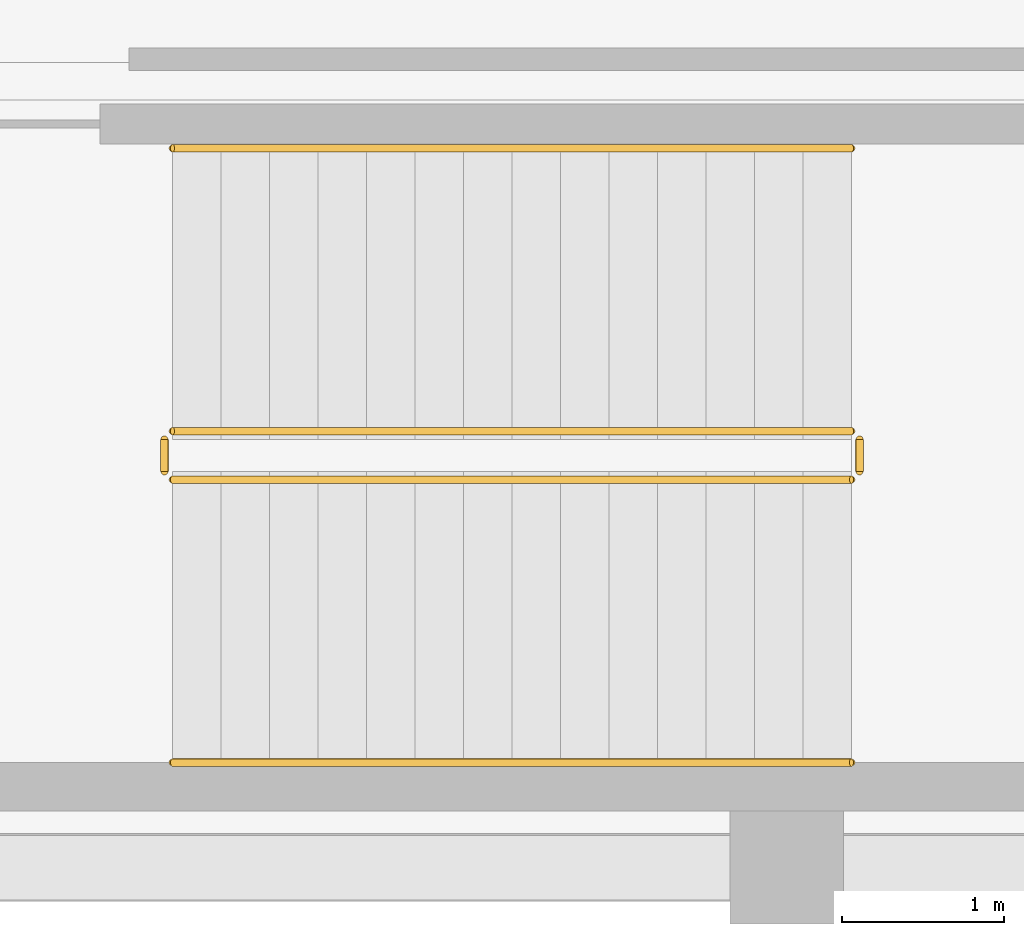
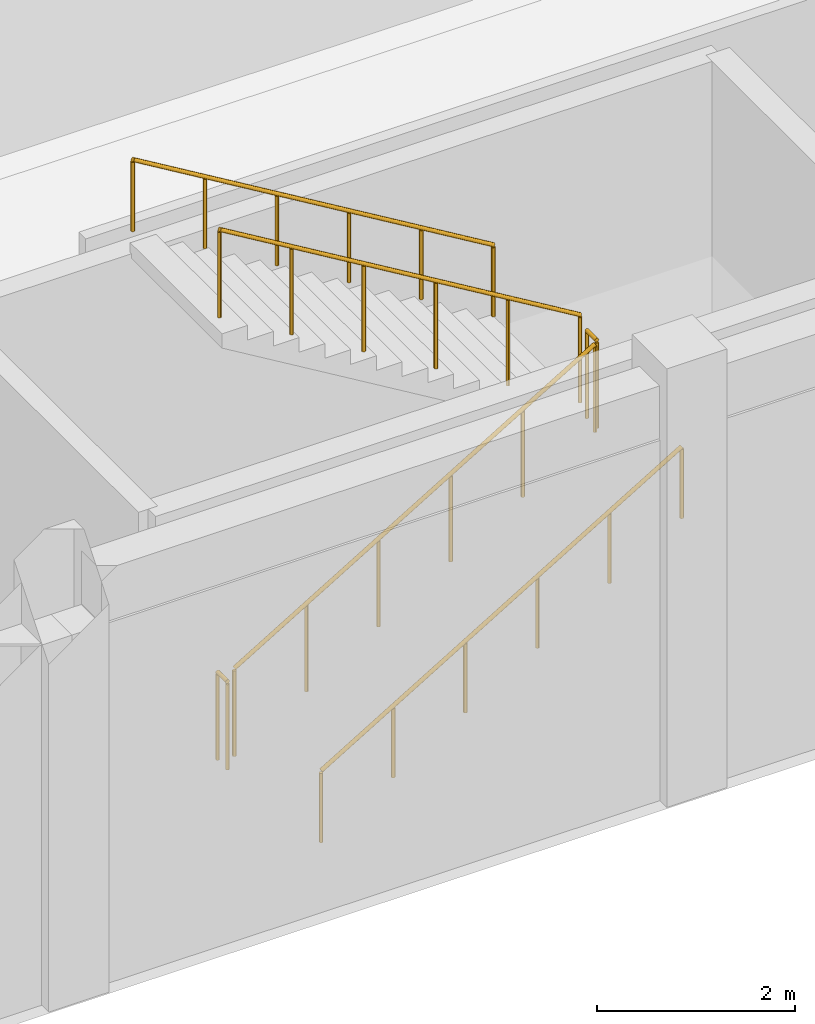
# One storey, part 86 of 102: 6 railings.
"""IFC4 building model written with IfcOpenShell, lengths in metres."""

from ifc_helpers import new_model, si_unit, direction, frame, origin, origin_2d, place, context, subcontext, project, spatial, circle, extrude, material, layer, layer_set, type_object, element, save


model = new_model("IFC4")

# Units and contexts
model_context = context("Model", 3, precision=1e-05, world=origin(), true_north=direction((0.0, 1.0)))
body_context = subcontext(model_context, "Body", "Model", "MODEL_VIEW")
ifc_project = project(units=[si_unit("LENGTHUNIT", "METRE"), si_unit("AREAUNIT", "SQUARE_METRE"), si_unit("VOLUMEUNIT", "CUBIC_METRE"), si_unit("PLANEANGLEUNIT", "RADIAN"), si_unit("MASSUNIT", "GRAM", prefix="KILO")], contexts=[model_context])

# Site, building, storey
site_placement = place(None, origin())
site = spatial("IfcSite", under=ifc_project, at=site_placement, CompositionType="ELEMENT")
building_placement = place(site_placement, origin())
building = spatial("IfcBuilding", under=site, at=building_placement, Name="Carrowvane Square Congress Hotel", CompositionType="ELEMENT")
storey_placement = place(building_placement, origin())
storey = spatial("IfcBuildingStorey", under=building, at=storey_placement, Name="L00", CompositionType="ELEMENT", Elevation=0.0)

# Railings
ifc_material_1 = material(Name="Stainless steel 316", Category="steel")
ifc_layer_1 = layer(ifc_material_1, 0.048095703125)
ifc_layer_set_1 = layer_set([ifc_layer_1], Name="Stainless steel 316")
railing_type_1 = type_object("IfcRailingType", Name="RLG-HR-900", PredefinedType="HANDRAIL", material=ifc_layer_set_1)
railing_1_placement = place(storey_placement, frame((22.199951171875, 6.050048828125, 0.179931640625)))
element("IfcRailing", 1, at=railing_1_placement, inside=storey, type_object=railing_type_1, Name="L00 ST9 stair handrail 1", PredefinedType="HANDRAIL", context=body_context, shape_type="SweptSolid", body=[
    extrude(circle(Radius=0.02392578125, at=origin_2d()), frame((0.0, 0.0, 0.8759765625), z_axis=(0.857488527567, 0.0, 0.514503085598), x_axis=(0.0, 1.0, 0.0)), (0.0, 0.0, 1.0), 4.89794921875),
    extrude(circle(Radius=0.02099609375, at=origin_2d()), origin(), (0.0, 0.0, 1.0), 0.851806640625),
    extrude(circle(Radius=0.02099609375, at=origin_2d()), frame((0.840087890625, 0.0, 0.50390625)), (0.0, 0.0, 1.0), 0.851806640625),
    extrude(circle(Radius=0.02099609375, at=origin_2d()), frame((1.679931640625, 0.0, 1.008056640625)), (0.0, 0.0, 1.0), 0.851806640625),
    extrude(circle(Radius=0.02099609375, at=origin_2d()), frame((2.52001953125, 0.0, 1.511962890625)), (0.0, 0.0, 1.0), 0.851806640625),
    extrude(circle(Radius=0.02099609375, at=origin_2d()), frame((3.35986328125, 0.0, 2.01611328125)), (0.0, 0.0, 1.0), 0.851806640625),
    extrude(circle(Radius=0.02099609375, at=origin_2d()), frame((4.199951171875, 0.0, 2.52001953125)), (0.0, 0.0, 1.0), 0.851806640625),
])
railing_2_placement = place(storey_placement, frame((26.39990234375, 9.85009765625, 2.8798828125)))
element("IfcRailing", 2, at=railing_2_placement, inside=storey, type_object=railing_type_1, Name="L00 ST9 stair handrail 2", PredefinedType="HANDRAIL", context=body_context, shape_type="SweptSolid", body=[
    extrude(circle(Radius=0.02392578125, at=origin_2d()), frame((0.0, 0.0, 0.8759765625), z_axis=(-0.857488527567, 0.0, 0.514503085598), x_axis=(0.0, -1.0, 0.0)), (0.0, 0.0, 1.0), 4.89794921875),
    extrude(circle(Radius=0.02099609375, at=origin_2d()), origin(), (0.0, 0.0, 1.0), 0.851806640625),
    extrude(circle(Radius=0.02099609375, at=origin_2d()), frame((-0.840087890625, 0.0, 0.50390625)), (0.0, 0.0, 1.0), 0.851806640625),
    extrude(circle(Radius=0.02099609375, at=origin_2d()), frame((-1.679931640625, 0.0, 1.008056640625)), (0.0, 0.0, 1.0), 0.851806640625),
    extrude(circle(Radius=0.02099609375, at=origin_2d()), frame((-2.52001953125, 0.0, 1.511962890625)), (0.0, 0.0, 1.0), 0.851806640625),
    extrude(circle(Radius=0.02099609375, at=origin_2d()), frame((-3.35986328125, 0.0, 2.01611328125)), (0.0, 0.0, 1.0), 0.851806640625),
    extrude(circle(Radius=0.02099609375, at=origin_2d()), frame((-4.199951171875, 0.0, 2.52001953125)), (0.0, 0.0, 1.0), 0.851806640625),
])
ifc_material_2 = material(Name="Galvanised steel", Category="steel")
ifc_layer_2 = layer(ifc_material_2, 0.048095703125)
ifc_layer_set_2 = layer_set([ifc_layer_2], Name="Galvanised steel")
railing_type_2 = type_object("IfcRailingType", Name="RLG-STG-1100", PredefinedType="GUARDRAIL", material=ifc_layer_set_2)
railing_3_placement = place(storey_placement, frame((22.199951171875, 7.800048828125, 0.179931640625)))
element("IfcRailing", 3, at=railing_3_placement, inside=storey, type_object=railing_type_2, Name="L00 ST9 stair guard 1", PredefinedType="GUARDRAIL", context=body_context, shape_type="SweptSolid", body=[
    extrude(circle(Radius=0.02392578125, at=origin_2d()), frame((0.0, 0.0, 1.076171875), z_axis=(0.857488527567, 0.0, 0.514503085598), x_axis=(0.0, 1.0, 0.0)), (0.0, 0.0, 1.0), 4.89794921875),
    extrude(circle(Radius=0.02099609375, at=origin_2d()), origin(), (0.0, 0.0, 1.0), 1.052001953125),
    extrude(circle(Radius=0.02099609375, at=origin_2d()), frame((0.840087890625, 0.0, 0.50390625)), (0.0, 0.0, 1.0), 1.052001953125),
    extrude(circle(Radius=0.02099609375, at=origin_2d()), frame((1.679931640625, 0.0, 1.008056640625)), (0.0, 0.0, 1.0), 1.052001953125),
    extrude(circle(Radius=0.02099609375, at=origin_2d()), frame((2.52001953125, 0.0, 1.511962890625)), (0.0, 0.0, 1.0), 1.052001953125),
    extrude(circle(Radius=0.02099609375, at=origin_2d()), frame((3.35986328125, 0.0, 2.01611328125)), (0.0, 0.0, 1.0), 1.052001953125),
    extrude(circle(Radius=0.02099609375, at=origin_2d()), frame((4.199951171875, 0.0, 2.52001953125)), (0.0, 0.0, 1.0), 1.052001953125),
])
railing_4_placement = place(storey_placement, frame((26.449951171875, 7.85009765625, 2.699951171875)))
element("IfcRailing", 4, at=railing_4_placement, inside=storey, type_object=railing_type_2, Name="L00 ST9 stair guard 2", PredefinedType="GUARDRAIL", context=body_context, shape_type="SweptSolid", body=[
    extrude(circle(Radius=0.02392578125, at=origin_2d()), frame((0.0, 0.0, 1.076171875), z_axis=(0.0, 1.0, 0.0), x_axis=(-1.0, 0.0, 0.0)), (0.0, 0.0, 1.0), 0.199951171875),
    extrude(circle(Radius=0.02099609375, at=origin_2d()), origin(), (0.0, 0.0, 1.0), 1.052001953125),
    extrude(circle(Radius=0.02099609375, at=origin_2d()), frame((0.0, 0.199951171875, 0.0)), (0.0, 0.0, 1.0), 1.052001953125),
])
railing_5_placement = place(storey_placement, frame((26.39990234375, 8.10009765625, 2.8798828125)))
element("IfcRailing", 5, at=railing_5_placement, inside=storey, type_object=railing_type_2, Name="L00 ST9 stair guard 3", PredefinedType="GUARDRAIL", context=body_context, shape_type="SweptSolid", body=[
    extrude(circle(Radius=0.02392578125, at=origin_2d()), frame((0.0, 0.0, 1.076171875), z_axis=(-0.857488527567, 0.0, 0.514503085598), x_axis=(0.0, -1.0, 0.0)), (0.0, 0.0, 1.0), 4.89794921875),
    extrude(circle(Radius=0.02099609375, at=origin_2d()), origin(), (0.0, 0.0, 1.0), 1.052001953125),
    extrude(circle(Radius=0.02099609375, at=origin_2d()), frame((-0.840087890625, 0.0, 0.50390625)), (0.0, 0.0, 1.0), 1.052001953125),
    extrude(circle(Radius=0.02099609375, at=origin_2d()), frame((-1.679931640625, 0.0, 1.008056640625)), (0.0, 0.0, 1.0), 1.052001953125),
    extrude(circle(Radius=0.02099609375, at=origin_2d()), frame((-2.52001953125, 0.0, 1.511962890625)), (0.0, 0.0, 1.0), 1.052001953125),
    extrude(circle(Radius=0.02099609375, at=origin_2d()), frame((-3.35986328125, 0.0, 2.01611328125)), (0.0, 0.0, 1.0), 1.052001953125),
    extrude(circle(Radius=0.02099609375, at=origin_2d()), frame((-4.199951171875, 0.0, 2.52001953125)), (0.0, 0.0, 1.0), 1.052001953125),
])
railing_6_placement = place(storey_placement, frame((22.14990234375, 7.85009765625, 0.0)))
element("IfcRailing", 6, at=railing_6_placement, inside=storey, type_object=railing_type_2, Name="L00 ST9 stair guard 4", PredefinedType="GUARDRAIL", context=body_context, shape_type="SweptSolid", body=[
    extrude(circle(Radius=0.02392578125, at=origin_2d()), frame((0.0, 0.0, 1.076171875), z_axis=(0.0, 1.0, 0.0), x_axis=(-1.0, 0.0, 0.0)), (0.0, 0.0, 1.0), 0.199951171875),
    extrude(circle(Radius=0.02099609375, at=origin_2d()), origin(), (0.0, 0.0, 1.0), 1.052001953125),
    extrude(circle(Radius=0.02099609375, at=origin_2d()), frame((0.0, 0.199951171875, 0.0)), (0.0, 0.0, 1.0), 1.052001953125),
])

save(model, "model.ifc")
